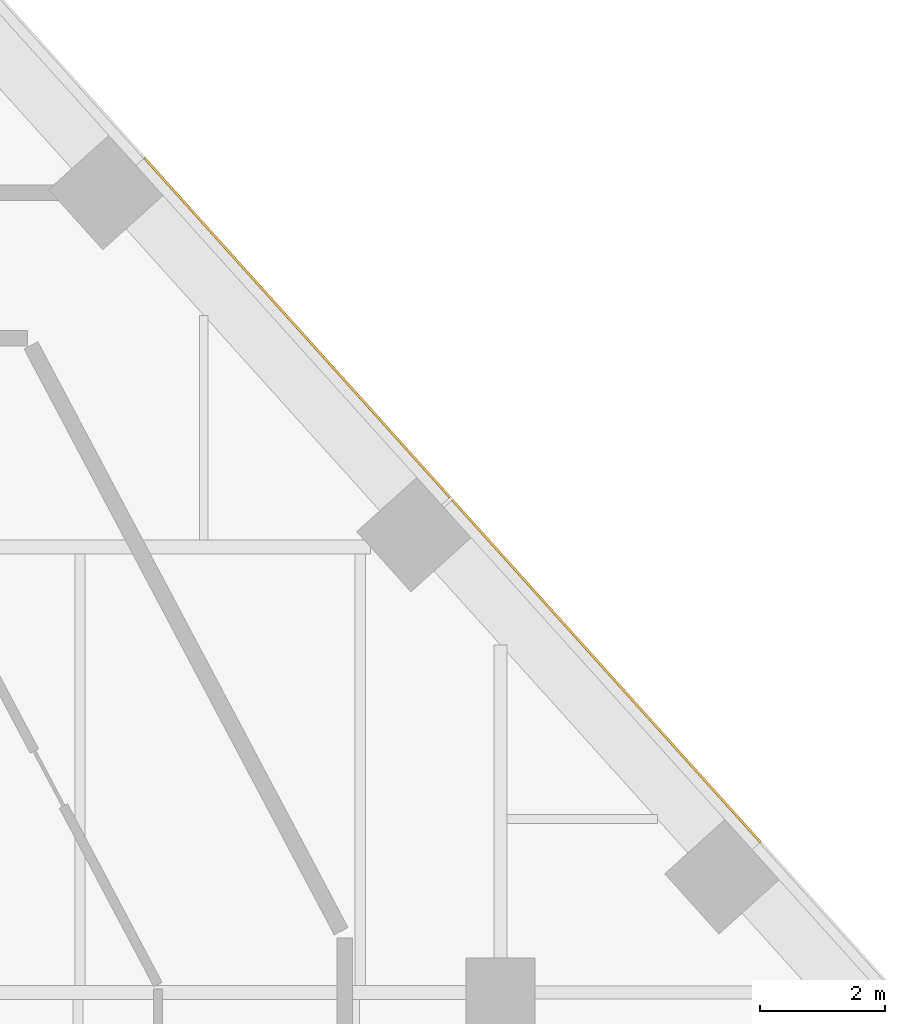
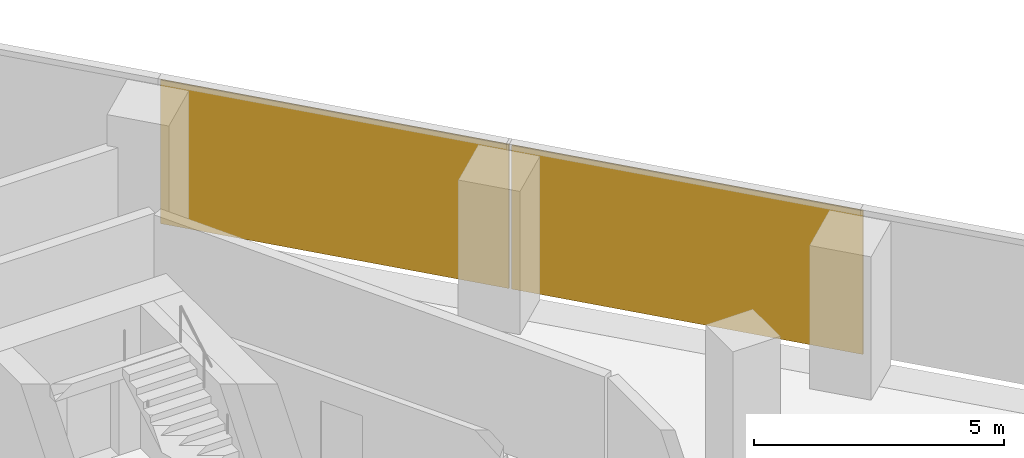
# One storey, part 16 of 16: 2 coverings, 1 element without a shape of its own.
"""IFC4 building model written with IfcOpenShell, lengths in metres."""

from ifc_helpers import new_model, si_unit, direction, frame, origin, origin_2d, place, context, subcontext, project, spatial, rectangle, extrude, material, layer, layer_set, type_object, element, aggregate, save


model = new_model("IFC4")

# Units and contexts
model_context = context("Model", 3, precision=1e-05, world=origin(), true_north=direction((0.0, 1.0)))
body_context = subcontext(model_context, "Body", "Model", "MODEL_VIEW")
ifc_project = project(units=[si_unit("LENGTHUNIT", "METRE"), si_unit("AREAUNIT", "SQUARE_METRE"), si_unit("VOLUMEUNIT", "CUBIC_METRE"), si_unit("PLANEANGLEUNIT", "RADIAN"), si_unit("MASSUNIT", "GRAM", prefix="KILO")], contexts=[model_context])

# Site, building, storey
site_placement = place(None, origin())
site = spatial("IfcSite", under=ifc_project, at=site_placement, CompositionType="ELEMENT")
building_placement = place(site_placement, origin())
building = spatial("IfcBuilding", under=site, at=building_placement, Name="Isthmus Gate Tower", CompositionType="ELEMENT")
storey_placement = place(building_placement, frame((0.0, 0.0, 170.800048828125)))
storey = spatial("IfcBuildingStorey", under=building, at=storey_placement, Name="L42", CompositionType="ELEMENT", Elevation=170.800048828125)

# Curtain wall, coverings
ifc_material_1 = material(Name="Aluminium, pale champagne anodised", Category="aluminium")
ifc_layer_1 = layer(ifc_material_1, 0.199951171875)
ifc_layer_set_1 = layer_set([ifc_layer_1], Name="CW-1 UNITISED CURTAIN WALL 200 DEEP")
curtain_wall_type = type_object("IfcCurtainWallType", Name="CW-1 UNITISED CURTAIN WALL 200 DEEP", PredefinedType="NOTDEFINED", material=ifc_layer_set_1)
curtain_wall_placement = place(storey_placement, origin())
curtain_wall = element("IfcCurtainWall", 1, at=curtain_wall_placement, inside=storey, type_object=curtain_wall_type, Name="CW-1 NE L42", PredefinedType="NOTDEFINED")
ifc_material_2 = material(Name="Aluminium composite panel, pale champagne anodised", Category="aluminium")
ifc_layer_2 = layer(ifc_material_2, 0.035888671875)
ifc_layer_set_2 = layer_set([ifc_layer_2], Name="CW-1 PALE METAL PANEL 36")
covering_type = type_object("IfcCoveringType", Name="CW-1 PALE METAL PANEL 36", PredefinedType="CLADDING", material=ifc_layer_set_2)
covering_1_placement = place(storey_placement, frame((25.70068359375, 12.659423828125, 0.0), z_axis=(0.0, 0.0, 1.0), x_axis=(-0.669130606359, 0.743144825477, 0.0)))
covering_1 = element("IfcCovering", 2, at=covering_1_placement, type_object=covering_type, Name="CW-1 pale metal panel", PredefinedType="CLADDING", context=body_context, shape_type="SweptSolid", body=[
    extrude(rectangle(XDim=7.390869140625, YDim=0.035888671875, at=origin_2d()), origin(), (0.0, 0.0, 1.0), 3.510009765625),
])
covering_2_placement = place(storey_placement, frame((20.735107421875, 18.17431640625, 0.0), z_axis=(0.0, 0.0, 1.0), x_axis=(-0.669130606359, 0.743144825477, 0.0)))
covering_2 = element("IfcCovering", 3, at=covering_2_placement, type_object=covering_type, Name="CW-1 pale metal panel", PredefinedType="CLADDING", context=body_context, shape_type="SweptSolid", body=[
    extrude(rectangle(XDim=7.330810546875, YDim=0.035888671875, at=origin_2d()), origin(), (0.0, 0.0, 1.0), 3.510009765625),
])
aggregate(curtain_wall, [covering_1, covering_2])

save(model, "model.ifc")
